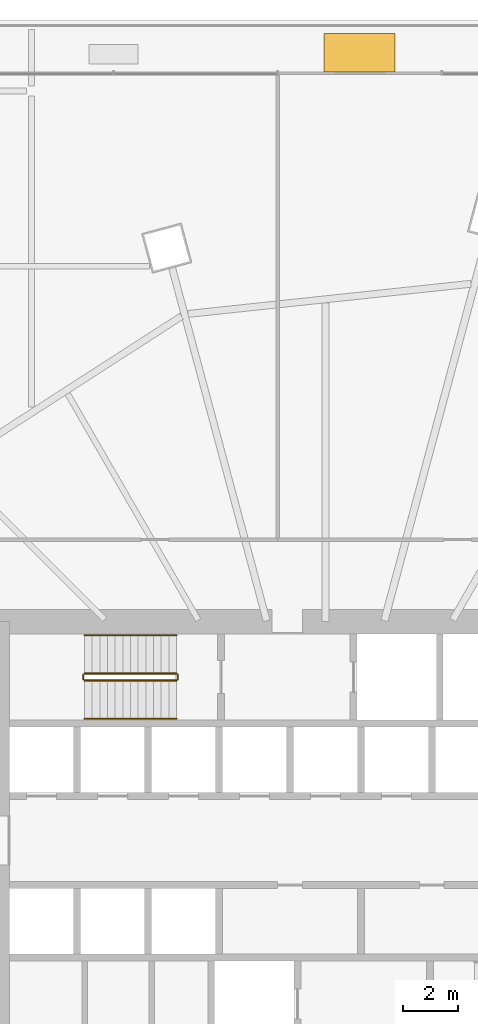
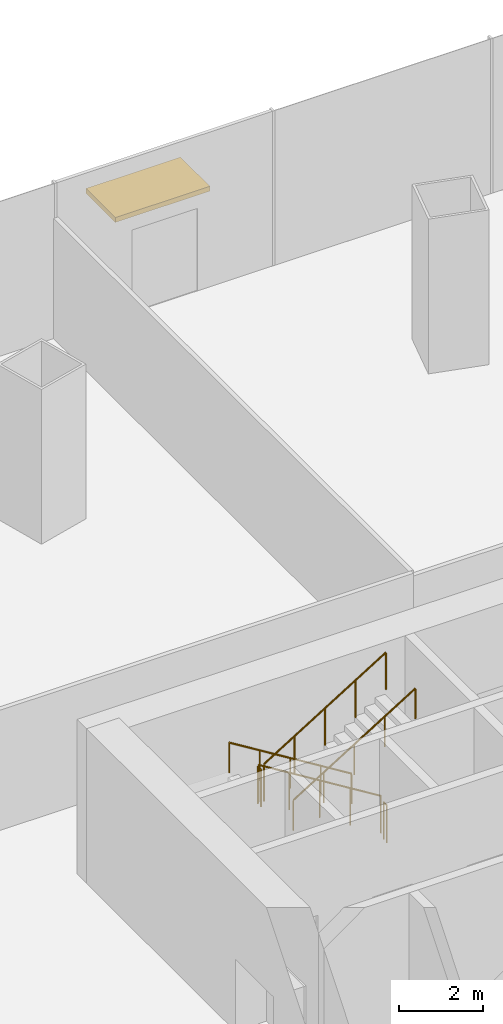
# One storey, part 50 of 52: 6 railings, 1 shading device.
"""IFC4 building model written with IfcOpenShell, lengths in metres."""

import ifcopenshell
import ifcopenshell.guid

model = None  # the IFC model being written
_history = None  # IfcOwnerHistory: only IFC2X3 demands one
_inside = {}  # id of a spatial element -> (the spatial element, [elements in it])
_under = {}  # id of a project, library or spatial element -> (it, [spatial elements below it])
_declared = {}  # id of a project -> (the project, [libraries it declares])
_typed = {}  # id of a type object -> (the type object, [elements of that type])
_made_of = {}  # id of a material, layer set ... -> (it, [elements and type objects made of it])


def new_model(schema):
    """Start an empty IFC model of exactly this schema.

    Asked for "IFC4X3", IfcOpenShell would pick the latest addendum, in which some entities
    have other attributes; the version numbers below select the first issue.
    IFC2X3 requires an IfcOwnerHistory on every rooted entity: one is made here for all.
    """
    global model, _history
    if schema == "IFC4X3":
        model = ifcopenshell.file(schema_version=(4, 3, 0, 0))
    else:
        model = ifcopenshell.file(schema=schema)
    _inside.clear()
    _under.clear()
    _declared.clear()
    _typed.clear()
    _made_of.clear()
    _history = None
    if model.schema == "IFC2X3":
        org = make("IfcOrganization", Name="unknown")
        user = make(
            "IfcPersonAndOrganization",
            ThePerson=make("IfcPerson", FamilyName="unknown"),
            TheOrganization=org,
        )
        app = make(
            "IfcApplication",
            ApplicationDeveloper=org,
            Version="unknown",
            ApplicationFullName="unknown",
            ApplicationIdentifier="unknown",
        )
        _history = make(
            "IfcOwnerHistory",
            OwningUser=user,
            OwningApplication=app,
            ChangeAction="ADDED",
            CreationDate=0,
        )
    return model


def make(cls, **values):
    """One entity of the class cls with the attributes given. An attribute that is None is left unset."""
    return model.create_entity(
        cls, **{name: value for name, value in values.items() if value is not None}
    )


def rooted(cls, **values):
    """An entity with a GlobalId (a new one), such as an element, a storey or a relation."""
    return make(cls, GlobalId=ifcopenshell.guid.new(), OwnerHistory=_history, **values)


def si_unit(unit_type, name, prefix=None):
    """IfcSIUnit, for example si_unit("LENGTHUNIT", "METRE", prefix="MILLI")."""
    return make("IfcSIUnit", UnitType=unit_type, Prefix=prefix, Name=name)


def assignment(units):
    """IfcUnitAssignment: the units of a project."""
    return None if units is None else make("IfcUnitAssignment", Units=units)


def point(xyz):
    """IfcCartesianPoint."""
    return None if xyz is None else make("IfcCartesianPoint", Coordinates=xyz)


def direction(xyz):
    """IfcDirection."""
    return None if xyz is None else make("IfcDirection", DirectionRatios=xyz)


def frame(location, z_axis=None, x_axis=None):
    """IfcAxis2Placement3D, a coordinate frame: its origin and axes. An axis left out is left unset."""
    return make(
        "IfcAxis2Placement3D",
        Location=point(location),
        Axis=direction(z_axis),
        RefDirection=direction(x_axis),
    )


def frame_2d(location, x_axis=None):
    """IfcAxis2Placement2D, a coordinate frame in the plane: its origin and x axis."""
    return make(
        "IfcAxis2Placement2D", Location=point(location), RefDirection=direction(x_axis)
    )


def origin():
    """The frame at (0, 0, 0) with its axes left unset."""
    return frame((0.0, 0.0, 0.0))


def origin_2d():
    """The frame at (0, 0) in the plane with its x axis left unset."""
    return frame_2d((0.0, 0.0))


def place(relative_to, where):
    """IfcLocalPlacement: puts the frame where relative to a parent placement (None: the world)."""
    return make(
        "IfcLocalPlacement", PlacementRelTo=relative_to, RelativePlacement=where
    )


def context(
    kind, dimensions, precision=None, world=None, true_north=None, identifier=None
):
    """IfcGeometricRepresentationContext, for example the 3D "Model" context."""
    return make(
        "IfcGeometricRepresentationContext",
        ContextIdentifier=identifier,
        ContextType=kind,
        CoordinateSpaceDimension=dimensions,
        Precision=precision,
        WorldCoordinateSystem=world,
        TrueNorth=true_north,
    )


def subcontext(parent, identifier, kind, view, scale=None):
    """IfcGeometricRepresentationSubContext, for example "Body" below "Model"."""
    return make(
        "IfcGeometricRepresentationSubContext",
        ContextIdentifier=identifier,
        ContextType=kind,
        ParentContext=parent,
        TargetScale=scale,
        TargetView=view,
    )


def project(units=None, contexts=None):
    """IfcProject with its units and contexts."""
    return rooted(
        "IfcProject",
        Name="project",
        RepresentationContexts=contexts,
        UnitsInContext=assignment(units),
    )


def spatial(cls, under=None, at=None, **own):
    """A site, building, storey or space (cls), placed at a placement, below another one or the project."""
    s = rooted(cls, ObjectPlacement=at, **own)
    if under is not None:
        _under.setdefault(under.id(), (under, []))[1].append(s)
    return s


def profile(cls, at=None, kind="AREA", **sizes):
    """A parametric profile (cls). Its sizes go by their IFC names, for example OverallWidth=200.0."""
    return make(cls, ProfileType=kind, Position=at, **sizes)


def rectangle(**sizes):
    """IfcRectangleProfileDef."""
    return profile("IfcRectangleProfileDef", **sizes)


def circle(**sizes):
    """IfcCircleProfileDef."""
    return profile("IfcCircleProfileDef", **sizes)


def extrude(swept, where, along, depth):
    """IfcExtrudedAreaSolid: the profile swept, set in the frame where, extruded along a direction by depth."""
    return make(
        "IfcExtrudedAreaSolid",
        SweptArea=swept,
        Position=where,
        ExtrudedDirection=direction(along),
        Depth=depth,
    )


def shape(context_of_items, identifier, shape_type, items):
    """IfcShapeRepresentation: the items that make up one representation, for example the "Body"."""
    return make(
        "IfcShapeRepresentation",
        ContextOfItems=context_of_items,
        RepresentationIdentifier=identifier,
        RepresentationType=shape_type,
        Items=items,
    )


def material(Name=None, Category=None):
    """IfcMaterial."""
    return make("IfcMaterial", Name=Name, Category=Category)


def layer(
    of_material, thickness, ventilated=None, Name=None, Category=None, Priority=None
):
    """IfcMaterialLayer: one layer of a wall or slab, of a material (None: an air gap)."""
    return make(
        "IfcMaterialLayer",
        Material=of_material,
        LayerThickness=thickness,
        IsVentilated=ventilated,
        Name=Name,
        Category=Category,
        Priority=Priority,
    )


def layer_set(layers, Name=None):
    """IfcMaterialLayerSet."""
    return make("IfcMaterialLayerSet", MaterialLayers=layers, LayerSetName=Name)


def made_of(thing, what):
    """Note that an element or type object is made of a material, layer set ...; save() writes the relation."""
    if what is not None:
        _made_of.setdefault(what.id(), (what, []))[1].append(thing)
    return thing


def type_object(cls, material=None, **own):
    """A type object (cls), such as IfcWallType, which elements share."""
    return made_of(rooted(cls, **own), material)


def element(
    cls,
    number,
    at=None,
    inside=None,
    cuts=None,
    type_object=None,
    material=None,
    context=None,
    identifier="Body",
    shape_type=None,
    held_by="IfcProductDefinitionShape",
    body=None,
    shapes=None,
    **own,
):
    """One element of the class cls, such as IfcWall. Its Tag is "e" and its number.

    at: its placement. inside: the storey or other place that contains it. cuts: it is an
    opening in that element (IfcRelVoidsElement). A single representation is given by context,
    identifier, shape_type and body (its items); several are given by shapes. held_by: the class
    of the entity that holds the representations. save() writes the other relations.
    """
    e = rooted(cls, Tag="e%d" % number, ObjectPlacement=at, **own)
    if body is not None:
        shapes = [shape(context, identifier, shape_type, body)]
    if shapes is not None:
        e.Representation = make(held_by, Representations=shapes)
    if inside is not None:
        _inside.setdefault(inside.id(), (inside, []))[1].append(e)
    if cuts is not None:
        rooted(
            "IfcRelVoidsElement", RelatingBuildingElement=cuts, RelatedOpeningElement=e
        )
    if type_object is not None:
        _typed.setdefault(type_object.id(), (type_object, []))[1].append(e)
    return made_of(e, material)


def aggregate(whole, parts):
    """IfcRelAggregates: a whole, such as a stair, and the parts it consists of."""
    return rooted("IfcRelAggregates", RelatingObject=whole, RelatedObjects=parts)


def save(model, path):
    """Write the relations noted so far, then the file.

    IfcRelAggregates (storeys below a building ...), IfcRelContainedInSpatialStructure (elements
    in a storey), IfcRelDefinesByType, IfcRelAssociatesMaterial and IfcRelDeclares: one each for
    every whole, place, type object, material and project.
    """
    for whole, parts in _under.values():
        aggregate(whole, parts)
    for where, things in _inside.values():
        rooted(
            "IfcRelContainedInSpatialStructure",
            RelatedElements=things,
            RelatingStructure=where,
        )
    for kind, things in _typed.values():
        rooted("IfcRelDefinesByType", RelatedObjects=things, RelatingType=kind)
    for what, things in _made_of.values():
        rooted("IfcRelAssociatesMaterial", RelatedObjects=things, RelatingMaterial=what)
    for by, libraries in _declared.values():
        rooted("IfcRelDeclares", RelatingContext=by, RelatedDefinitions=libraries)
    model.write(path)


model = new_model("IFC4")

# Units and contexts
model_context = context("Model", 3, precision=1e-05, world=origin(), true_north=direction((0.0, 1.0)))
body_context = subcontext(model_context, "Body", "Model", "MODEL_VIEW")
ifc_project = project(units=[si_unit("LENGTHUNIT", "METRE"), si_unit("AREAUNIT", "SQUARE_METRE"), si_unit("VOLUMEUNIT", "CUBIC_METRE"), si_unit("PLANEANGLEUNIT", "RADIAN"), si_unit("MASSUNIT", "GRAM", prefix="KILO")], contexts=[model_context])

# Site, building, storey
site_placement = place(None, origin())
site = spatial("IfcSite", under=ifc_project, at=site_placement, CompositionType="ELEMENT")
building_placement = place(site_placement, origin())
building = spatial("IfcBuilding", under=site, at=building_placement, Name="Rimbun Link Towers", CompositionType="ELEMENT")
storey_placement = place(building_placement, frame((0.0, 0.0, 21.0)))
storey = spatial("IfcBuildingStorey", under=building, at=storey_placement, Name="L04", CompositionType="ELEMENT", Elevation=21.0)

# Shading device
ifc_material_1 = material(Name="Aluminium 6063-T6 louvre blades in a powder-coated aluminium frame", Category="aluminium")
ifc_layer = layer(ifc_material_1, 0.139892578125)
ifc_layer_set = layer_set([ifc_layer], Name="RAIN CANOPY louvre blades 2600X1400")
shading_device_type = type_object("IfcShadingDeviceType", Name="RAIN CANOPY louvre blades 2600X1400", PredefinedType="AWNING", material=ifc_layer_set)
shading_device_placement = place(storey_placement, frame((33.0, 28.800048828125, 2.7001953125), z_axis=(0.0, 0.0, 1.0), x_axis=(1.0, 0.0, 0.0)))
element("IfcShadingDevice", 1, at=shading_device_placement, inside=storey, type_object=shading_device_type, Name="RAIN CANOPY over terrace door", PredefinedType="AWNING", context=body_context, shape_type="SweptSolid", body=[
    extrude(rectangle(XDim=2.60009765625, YDim=1.39990234375, at=origin_2d()), origin(), (0.0, 0.0, 1.0), 0.139892578125),
])

# Railings
ifc_material_2 = material(Name="Stainless steel grade 316", Category="steel")
railing_type_1 = type_object("IfcRailingType", Name="Stair guard", PredefinedType="GUARDRAIL", material=ifc_material_2)
railing_1_placement = place(storey_placement, frame((26.300048828125, 6.10009765625, 0.173095703125)))
element("IfcRailing", 2, at=railing_1_placement, inside=storey, type_object=railing_type_1, Name="L04 ST3 stair guard 1", PredefinedType="GUARDRAIL", context=body_context, shape_type="SweptSolid", body=[
    extrude(circle(Radius=0.02392578125, at=origin_2d()), frame((0.0, 0.0, 1.076171875), z_axis=(-0.850623216509, 0.0, 0.525775754039), x_axis=(0.0, -1.0, 0.0)), (0.0, 0.0, 1.0), 3.9501953125),
    extrude(circle(Radius=0.02099609375, at=origin_2d()), origin(), (0.0, 0.0, 1.0), 1.052001953125),
    extrude(circle(Radius=0.02099609375, at=origin_2d()), frame((-0.840087890625, 0.0, 0.519287109375)), (0.0, 0.0, 1.0), 1.052001953125),
    extrude(circle(Radius=0.02099609375, at=origin_2d()), frame((-1.68017578125, 0.0, 1.03857421875)), (0.0, 0.0, 1.0), 1.052001953125),
    extrude(circle(Radius=0.02099609375, at=origin_2d()), frame((-2.52001953125, 0.0, 1.5576171875)), (0.0, 0.0, 1.0), 1.052001953125),
    extrude(circle(Radius=0.02099609375, at=origin_2d()), frame((-3.360107421875, 0.0, 2.076904296875)), (0.0, 0.0, 1.0), 1.052001953125),
])
railing_2_placement = place(storey_placement, frame((22.889892578125, 6.050048828125, 2.25)))
element("IfcRailing", 3, at=railing_2_placement, inside=storey, type_object=railing_type_1, Name="L04 ST3 stair guard 2", PredefinedType="GUARDRAIL", context=body_context, shape_type="SweptSolid", body=[
    extrude(circle(Radius=0.02392578125, at=origin_2d()), frame((0.0, 0.0, 1.076171875), z_axis=(0.0, -1.0, 0.0), x_axis=(1.0, 0.0, 0.0)), (0.0, 0.0, 1.0), 0.150146484375),
    extrude(circle(Radius=0.02099609375, at=origin_2d()), origin(), (0.0, 0.0, 1.0), 1.052001953125),
    extrude(circle(Radius=0.02099609375, at=origin_2d()), frame((0.0, -0.150146484375, 0.0)), (0.0, 0.0, 1.0), 1.052001953125),
])
railing_3_placement = place(storey_placement, frame((22.93994140625, 5.85009765625, 2.423095703125)))
element("IfcRailing", 4, at=railing_3_placement, inside=storey, type_object=railing_type_1, Name="L04 ST3 stair guard 3", PredefinedType="GUARDRAIL", context=body_context, shape_type="SweptSolid", body=[
    extrude(circle(Radius=0.02392578125, at=origin_2d()), frame((0.0, 0.0, 1.076171875), z_axis=(0.850623216509, 0.0, 0.525775754039), x_axis=(0.0, 1.0, 0.0)), (0.0, 0.0, 1.0), 3.9501953125),
    extrude(circle(Radius=0.02099609375, at=origin_2d()), origin(), (0.0, 0.0, 1.0), 1.052001953125),
    extrude(circle(Radius=0.02099609375, at=origin_2d()), frame((0.840087890625, 0.0, 0.519287109375)), (0.0, 0.0, 1.0), 1.052001953125),
    extrude(circle(Radius=0.02099609375, at=origin_2d()), frame((1.68017578125, 0.0, 1.03857421875)), (0.0, 0.0, 1.0), 1.052001953125),
    extrude(circle(Radius=0.02099609375, at=origin_2d()), frame((2.52001953125, 0.0, 1.5576171875)), (0.0, 0.0, 1.0), 1.052001953125),
    extrude(circle(Radius=0.02099609375, at=origin_2d()), frame((3.360107421875, 0.0, 2.076904296875)), (0.0, 0.0, 1.0), 1.052001953125),
])
railing_4_placement = place(storey_placement, frame((26.35009765625, 6.050048828125, 0.0)))
element("IfcRailing", 5, at=railing_4_placement, inside=storey, type_object=railing_type_1, Name="L04 ST3 stair guard 4", PredefinedType="GUARDRAIL", context=body_context, shape_type="SweptSolid", body=[
    extrude(circle(Radius=0.02392578125, at=origin_2d()), frame((0.0, 0.0, 1.076171875), z_axis=(0.0, -1.0, 0.0), x_axis=(1.0, 0.0, 0.0)), (0.0, 0.0, 1.0), 0.150146484375),
    extrude(circle(Radius=0.02099609375, at=origin_2d()), origin(), (0.0, 0.0, 1.0), 1.052001953125),
    extrude(circle(Radius=0.02099609375, at=origin_2d()), frame((0.0, -0.150146484375, 0.0)), (0.0, 0.0, 1.0), 1.052001953125),
])
ifc_material_3 = material(Name="Stainless steel grade 316", Category="steel")
railing_type_2 = type_object("IfcRailingType", Name="Stair handrail", PredefinedType="HANDRAIL", material=ifc_material_3)
railing_5_placement = place(storey_placement, frame((26.300048828125, 7.5, 0.173095703125)))
element("IfcRailing", 6, at=railing_5_placement, inside=storey, type_object=railing_type_2, Name="L04 ST3 stair handrail 1", PredefinedType="HANDRAIL", context=body_context, shape_type="SweptSolid", body=[
    extrude(circle(Radius=0.02392578125, at=origin_2d()), frame((0.0, 0.0, 0.8759765625), z_axis=(-0.850623216509, 0.0, 0.525775754039), x_axis=(0.0, -1.0, 0.0)), (0.0, 0.0, 1.0), 3.9501953125),
    extrude(circle(Radius=0.02099609375, at=origin_2d()), origin(), (0.0, 0.0, 1.0), 0.851806640625),
    extrude(circle(Radius=0.02099609375, at=origin_2d()), frame((-0.840087890625, 0.0, 0.519287109375)), (0.0, 0.0, 1.0), 0.851806640625),
    extrude(circle(Radius=0.02099609375, at=origin_2d()), frame((-1.68017578125, 0.0, 1.03857421875)), (0.0, 0.0, 1.0), 0.851806640625),
    extrude(circle(Radius=0.02099609375, at=origin_2d()), frame((-2.52001953125, 0.0, 1.5576171875)), (0.0, 0.0, 1.0), 0.851806640625),
    extrude(circle(Radius=0.02099609375, at=origin_2d()), frame((-3.360107421875, 0.0, 2.076904296875)), (0.0, 0.0, 1.0), 0.851806640625),
])
railing_6_placement = place(storey_placement, frame((22.93994140625, 4.449951171875, 2.423095703125)))
element("IfcRailing", 7, at=railing_6_placement, inside=storey, type_object=railing_type_2, Name="L04 ST3 stair handrail 2", PredefinedType="HANDRAIL", context=body_context, shape_type="SweptSolid", body=[
    extrude(circle(Radius=0.02392578125, at=origin_2d()), frame((0.0, 0.0, 0.8759765625), z_axis=(0.850623216509, 0.0, 0.525775754039), x_axis=(0.0, 1.0, 0.0)), (0.0, 0.0, 1.0), 3.9501953125),
    extrude(circle(Radius=0.02099609375, at=origin_2d()), origin(), (0.0, 0.0, 1.0), 0.851806640625),
    extrude(circle(Radius=0.02099609375, at=origin_2d()), frame((0.840087890625, 0.0, 0.519287109375)), (0.0, 0.0, 1.0), 0.851806640625),
    extrude(circle(Radius=0.02099609375, at=origin_2d()), frame((1.68017578125, 0.0, 1.03857421875)), (0.0, 0.0, 1.0), 0.851806640625),
    extrude(circle(Radius=0.02099609375, at=origin_2d()), frame((2.52001953125, 0.0, 1.5576171875)), (0.0, 0.0, 1.0), 0.851806640625),
    extrude(circle(Radius=0.02099609375, at=origin_2d()), frame((3.360107421875, 0.0, 2.076904296875)), (0.0, 0.0, 1.0), 0.851806640625),
])

save(model, "model.ifc")
